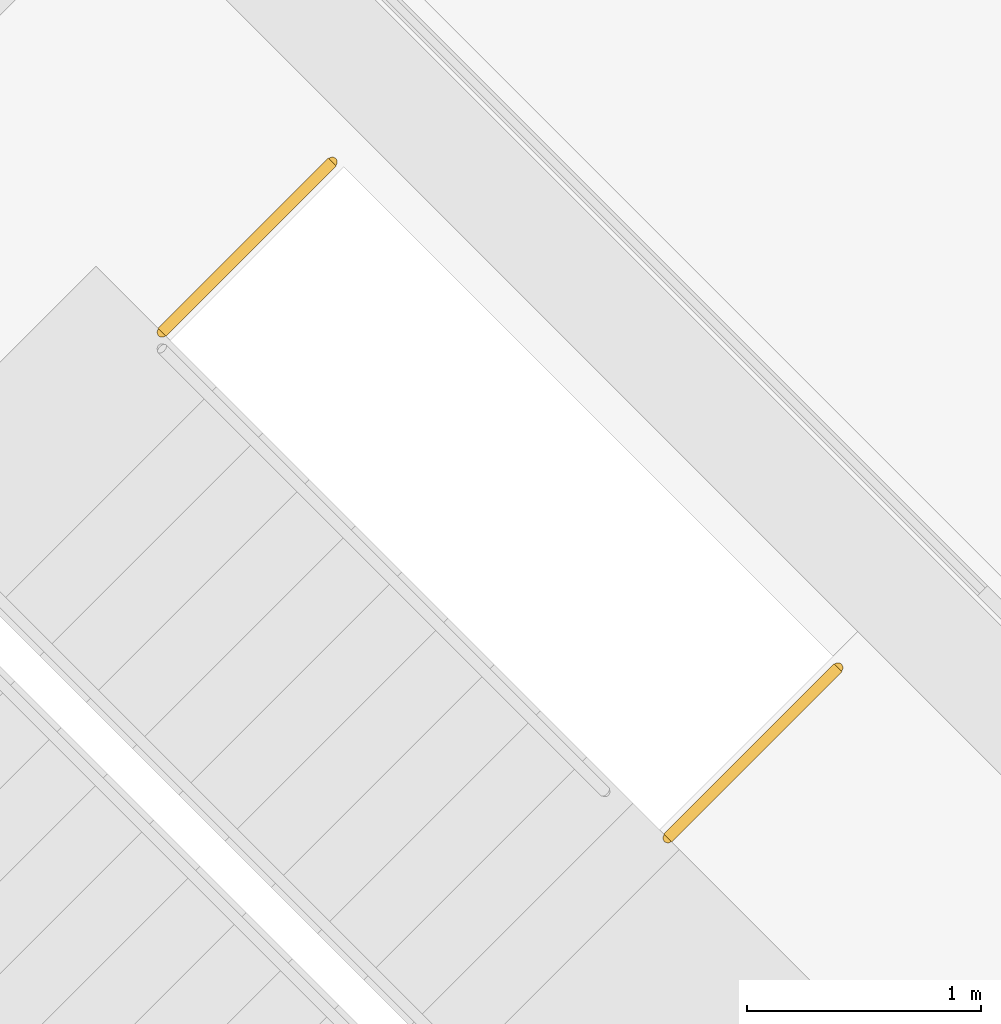
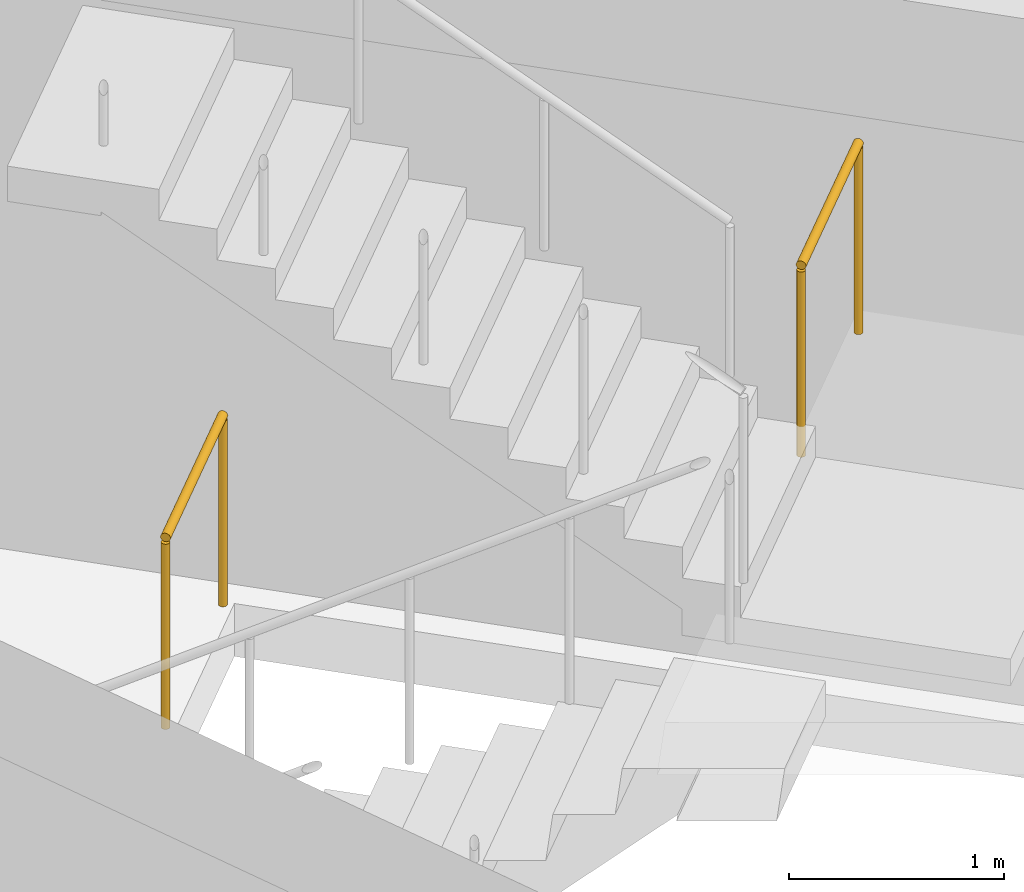
# One storey, part 15 of 19: 2 railings.
"""IFC4 building model written with IfcOpenShell, lengths in metres."""

from ifc_helpers import new_model, si_unit, direction, frame, origin, origin_2d, place, context, subcontext, project, spatial, circle, extrude, material, type_object, element, save


model = new_model("IFC4")

# Units and contexts
model_context = context("Model", 3, precision=1e-05, world=origin(), true_north=direction((0.0, 1.0)))
body_context = subcontext(model_context, "Body", "Model", "MODEL_VIEW")
ifc_project = project(units=[si_unit("LENGTHUNIT", "METRE"), si_unit("AREAUNIT", "SQUARE_METRE"), si_unit("VOLUMEUNIT", "CUBIC_METRE"), si_unit("PLANEANGLEUNIT", "RADIAN"), si_unit("MASSUNIT", "GRAM", prefix="KILO")], contexts=[model_context])

# Site, building, storey
site_placement = place(None, origin())
site = spatial("IfcSite", under=ifc_project, at=site_placement, CompositionType="ELEMENT")
building_placement = place(site_placement, origin())
building = spatial("IfcBuilding", under=site, at=building_placement, Name="Windrow Commons", CompositionType="ELEMENT")
storey_placement = place(building_placement, frame((0.0, 0.0, 230.4)))
storey = spatial("IfcBuildingStorey", under=building, at=storey_placement, Name="L63", CompositionType="ELEMENT", Elevation=230.4)

# Railings
ifc_material = material(Name="Steel S355", Category="steel")
railing_type = type_object("IfcRailingType", Name="Core stair guard 1100", PredefinedType="GUARDRAIL", material=ifc_material)
railing_1_placement = place(storey_placement, frame((87.0135, 57.3982, 0.0)))
element("IfcRailing", 1, at=railing_1_placement, inside=storey, type_object=railing_type, Name="L63 ST-B1 stair guard 3", PredefinedType="GUARDRAIL", context=body_context, shape_type="SweptSolid", body=[
    extrude(circle(Radius=0.024, at=origin_2d()), frame((0.0, 0.0, 1.076), z_axis=(0.7070582378, 0.7071553212, 0.0), x_axis=(-0.7071553212, 0.7070582378, 0.0)), (0.0, 0.0, 1.0), 1.03),
    extrude(circle(Radius=0.021, at=origin_2d()), origin(), (0.0, 0.0, 1.0), 1.052),
    extrude(circle(Radius=0.021, at=origin_2d()), frame((0.7283, 0.7284, 0.0)), (0.0, 0.0, 1.0), 1.052),
])
railing_2_placement = place(storey_placement, frame((89.1773, 55.2345, 2.1)))
element("IfcRailing", 2, at=railing_2_placement, inside=storey, type_object=railing_type, Name="L63 ST-B1 stair guard 4", PredefinedType="GUARDRAIL", context=body_context, shape_type="SweptSolid", body=[
    extrude(circle(Radius=0.024, at=origin_2d()), frame((0.0, 0.0, 1.076), z_axis=(0.7071067812, 0.7071067812, 0.0), x_axis=(-0.7071067812, 0.7071067812, 0.0)), (0.0, 0.0, 1.0), 1.03),
    extrude(circle(Radius=0.021, at=origin_2d()), origin(), (0.0, 0.0, 1.0), 1.052),
    extrude(circle(Radius=0.021, at=origin_2d()), frame((0.7283, 0.7283, 0.0)), (0.0, 0.0, 1.0), 1.052),
])

save(model, "model.ifc")
